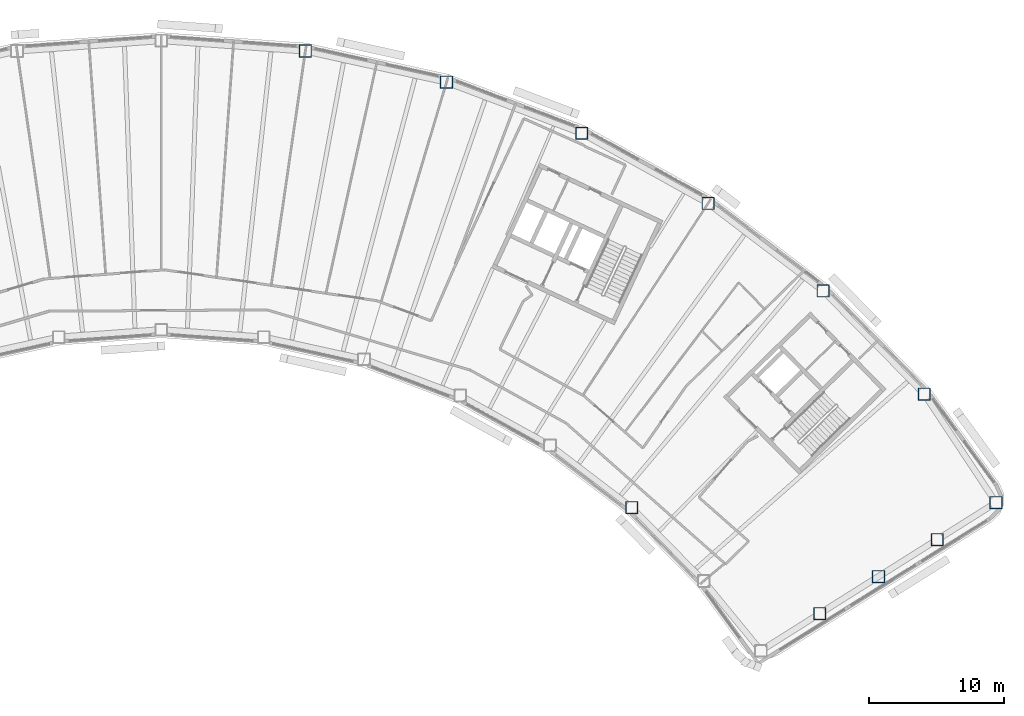
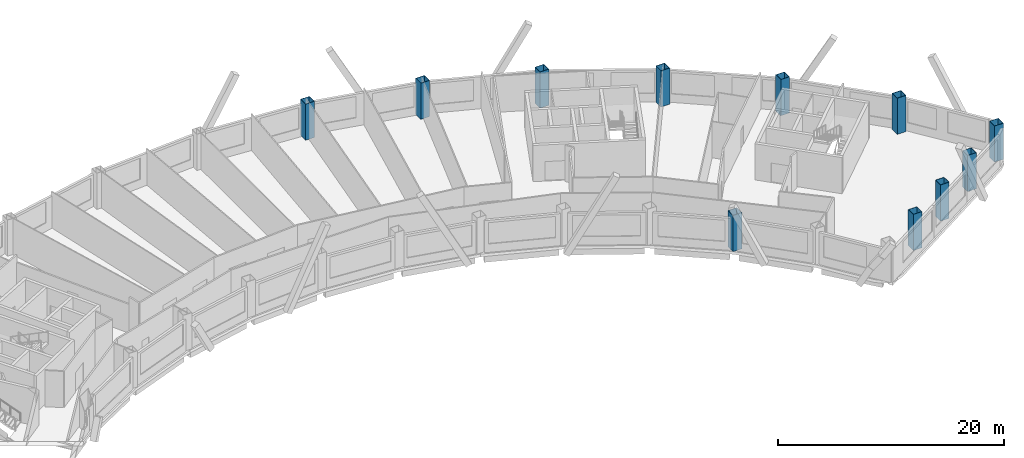
# One storey, part 2 of 13: 11 columns.
"""IFC4 building model written with IfcOpenShell, lengths in metres."""

from ifc_helpers import new_model, si_unit, direction, frame, origin, origin_2d, place, context, subcontext, project, spatial, hollow_rectangle, extrude, material, material_profile, profile_set, type_object, element, save


model = new_model("IFC4")

# Units and contexts
model_context = context("Model", 3, precision=1e-05, world=origin(), true_north=direction((0.0, 1.0)))
body_context = subcontext(model_context, "Body", "Model", "MODEL_VIEW")
ifc_project = project(units=[si_unit("LENGTHUNIT", "METRE"), si_unit("AREAUNIT", "SQUARE_METRE"), si_unit("VOLUMEUNIT", "CUBIC_METRE"), si_unit("PLANEANGLEUNIT", "RADIAN"), si_unit("MASSUNIT", "GRAM", prefix="KILO")], contexts=[model_context])

# Site, building, storey
site_placement = place(None, origin())
site = spatial("IfcSite", under=ifc_project, at=site_placement, CompositionType="ELEMENT")
building_placement = place(site_placement, origin())
building = spatial("IfcBuilding", under=site, at=building_placement, Name="Tuul Gate Civic Tower", CompositionType="ELEMENT")
storey_placement = place(building_placement, frame((0.0, 0.0, 180.5)))
storey = spatial("IfcBuildingStorey", under=building, at=storey_placement, Name="Level 41", CompositionType="ELEMENT", Elevation=180.5)

# Columns
ifc_material = material(Name="Steel S355", Category="steel")
ifc_material_profile = material_profile(ifc_material, hollow_rectangle(XDim=0.89990234375, YDim=0.89990234375, WallThickness=0.031982421875, at=origin_2d()), Name="BOX900x900x32")
ifc_profile_set = profile_set([ifc_material_profile], Name="Steel S355")
column_type = type_object("IfcColumnType", Name="STR-COLUMN-BOX900x900x32", PredefinedType="COLUMN", material=ifc_profile_set)
for number, where, z_axis, x_axis, name in (
    (1, (62.660888671875, -20.512939453125, 0.0), (0.0, 0.0, 1.0), (1.0, 0.0, 0.0), "Column"),
    (2, (57.362060546875, -12.5, 0.0), (0.0, 0.0, 1.0), (1.0, 0.0, 0.0), "Column"),
    (3, (49.886962890625, -4.875, 0.0), (0.0, 0.0, 1.0), (1.0, 0.0, 0.0), "Column"),
    (4, (41.39208984375, 1.593017578125, 0.0), (0.0, 0.0, 1.0), (1.0, 0.0, 0.0), "Column"),
    (5, (32.053955078125, 6.77001953125, 0.0), (0.0, 0.0, 1.0), (1.0, 0.0, 0.0), "Column"),
    (6, (22.06689453125, 10.5458984375, 0.0), (0.0, 0.0, 1.0), (1.0, 0.0, 0.0), "Column"),
    (7, (11.638916015625, 12.843994140625, 0.0), (0.0, 0.0, 1.0), (1.0, 0.0, 0.0), "Column"),
    (8, (35.757080078125, -20.886962890625, 0.0), (0.0, 0.0, 1.0), (1.0, 0.0, 0.0), "Column"),
    (9, (49.633056640625, -28.716064453125, 0.0), (0.0, 0.0, 1.0), (1.0, 0.0, 0.0), "Column"),
    (10, (53.97607421875, -25.98193359375, 0.0), (0.0, 0.0, 1.0), (1.0, 0.0, 0.0), "Column"),
    (11, (58.318115234375, -23.2470703125, 0.0), (0.0, 0.0, 1.0), (1.0, 0.0, 0.0), "Column"),
):
    element("IfcColumn", number, at=place(storey_placement, frame(where, z_axis=z_axis, x_axis=x_axis)), inside=storey, type_object=column_type, Name=name, PredefinedType="COLUMN", context=body_context, shape_type="SweptSolid", body=[
        extrude(hollow_rectangle(XDim=0.89990234375, YDim=0.89990234375, WallThickness=0.031982421875, at=origin_2d()), origin(), (0.0, 0.0, 1.0), 3.89990234375),
    ])

save(model, "model.ifc")
